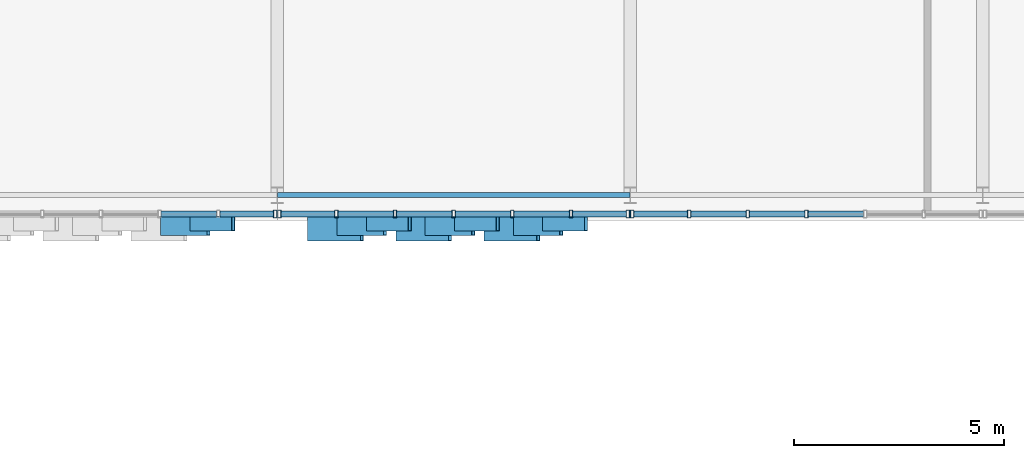
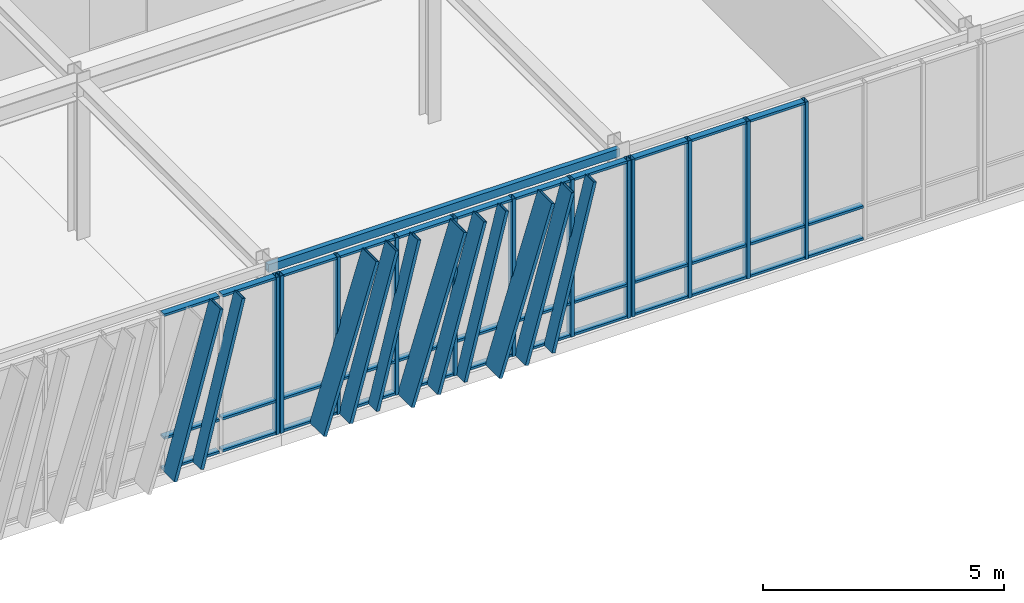
# One storey, part 22 of 123: 58 members, 1 beam, 3 elements without a shape of their own.
"""IFC4 building model written with IfcOpenShell, lengths in metres."""

import ifcopenshell
import ifcopenshell.guid

model = None  # the IFC model being written
_history = None  # IfcOwnerHistory: only IFC2X3 demands one
_inside = {}  # id of a spatial element -> (the spatial element, [elements in it])
_under = {}  # id of a project, library or spatial element -> (it, [spatial elements below it])
_declared = {}  # id of a project -> (the project, [libraries it declares])
_typed = {}  # id of a type object -> (the type object, [elements of that type])
_made_of = {}  # id of a material, layer set ... -> (it, [elements and type objects made of it])


def new_model(schema):
    """Start an empty IFC model of exactly this schema.

    Asked for "IFC4X3", IfcOpenShell would pick the latest addendum, in which some entities
    have other attributes; the version numbers below select the first issue.
    IFC2X3 requires an IfcOwnerHistory on every rooted entity: one is made here for all.
    """
    global model, _history
    if schema == "IFC4X3":
        model = ifcopenshell.file(schema_version=(4, 3, 0, 0))
    else:
        model = ifcopenshell.file(schema=schema)
    _inside.clear()
    _under.clear()
    _declared.clear()
    _typed.clear()
    _made_of.clear()
    _history = None
    if model.schema == "IFC2X3":
        org = make("IfcOrganization", Name="unknown")
        user = make(
            "IfcPersonAndOrganization",
            ThePerson=make("IfcPerson", FamilyName="unknown"),
            TheOrganization=org,
        )
        app = make(
            "IfcApplication",
            ApplicationDeveloper=org,
            Version="unknown",
            ApplicationFullName="unknown",
            ApplicationIdentifier="unknown",
        )
        _history = make(
            "IfcOwnerHistory",
            OwningUser=user,
            OwningApplication=app,
            ChangeAction="ADDED",
            CreationDate=0,
        )
    return model


def make(cls, **values):
    """One entity of the class cls with the attributes given. An attribute that is None is left unset."""
    return model.create_entity(
        cls, **{name: value for name, value in values.items() if value is not None}
    )


def rooted(cls, **values):
    """An entity with a GlobalId (a new one), such as an element, a storey or a relation."""
    return make(cls, GlobalId=ifcopenshell.guid.new(), OwnerHistory=_history, **values)


def si_unit(unit_type, name, prefix=None):
    """IfcSIUnit, for example si_unit("LENGTHUNIT", "METRE", prefix="MILLI")."""
    return make("IfcSIUnit", UnitType=unit_type, Prefix=prefix, Name=name)


def assignment(units):
    """IfcUnitAssignment: the units of a project."""
    return None if units is None else make("IfcUnitAssignment", Units=units)


def point(xyz):
    """IfcCartesianPoint."""
    return None if xyz is None else make("IfcCartesianPoint", Coordinates=xyz)


def direction(xyz):
    """IfcDirection."""
    return None if xyz is None else make("IfcDirection", DirectionRatios=xyz)


def frame(location, z_axis=None, x_axis=None):
    """IfcAxis2Placement3D, a coordinate frame: its origin and axes. An axis left out is left unset."""
    return make(
        "IfcAxis2Placement3D",
        Location=point(location),
        Axis=direction(z_axis),
        RefDirection=direction(x_axis),
    )


def frame_2d(location, x_axis=None):
    """IfcAxis2Placement2D, a coordinate frame in the plane: its origin and x axis."""
    return make(
        "IfcAxis2Placement2D", Location=point(location), RefDirection=direction(x_axis)
    )


def origin():
    """The frame at (0, 0, 0) with its axes left unset."""
    return frame((0.0, 0.0, 0.0))


def origin_2d():
    """The frame at (0, 0) in the plane with its x axis left unset."""
    return frame_2d((0.0, 0.0))


def place(relative_to, where):
    """IfcLocalPlacement: puts the frame where relative to a parent placement (None: the world)."""
    return make(
        "IfcLocalPlacement", PlacementRelTo=relative_to, RelativePlacement=where
    )


def context(
    kind, dimensions, precision=None, world=None, true_north=None, identifier=None
):
    """IfcGeometricRepresentationContext, for example the 3D "Model" context."""
    return make(
        "IfcGeometricRepresentationContext",
        ContextIdentifier=identifier,
        ContextType=kind,
        CoordinateSpaceDimension=dimensions,
        Precision=precision,
        WorldCoordinateSystem=world,
        TrueNorth=true_north,
    )


def subcontext(parent, identifier, kind, view, scale=None):
    """IfcGeometricRepresentationSubContext, for example "Body" below "Model"."""
    return make(
        "IfcGeometricRepresentationSubContext",
        ContextIdentifier=identifier,
        ContextType=kind,
        ParentContext=parent,
        TargetScale=scale,
        TargetView=view,
    )


def project(units=None, contexts=None):
    """IfcProject with its units and contexts."""
    return rooted(
        "IfcProject",
        Name="project",
        RepresentationContexts=contexts,
        UnitsInContext=assignment(units),
    )


def spatial(cls, under=None, at=None, **own):
    """A site, building, storey or space (cls), placed at a placement, below another one or the project."""
    s = rooted(cls, ObjectPlacement=at, **own)
    if under is not None:
        _under.setdefault(under.id(), (under, []))[1].append(s)
    return s


def profile(cls, at=None, kind="AREA", **sizes):
    """A parametric profile (cls). Its sizes go by their IFC names, for example OverallWidth=200.0."""
    return make(cls, ProfileType=kind, Position=at, **sizes)


def hollow_rectangle(**sizes):
    """IfcRectangleHollowProfileDef."""
    return profile("IfcRectangleHollowProfileDef", **sizes)


def extrude(swept, where, along, depth):
    """IfcExtrudedAreaSolid: the profile swept, set in the frame where, extruded along a direction by depth."""
    return make(
        "IfcExtrudedAreaSolid",
        SweptArea=swept,
        Position=where,
        ExtrudedDirection=direction(along),
        Depth=depth,
    )


def shape(context_of_items, identifier, shape_type, items):
    """IfcShapeRepresentation: the items that make up one representation, for example the "Body"."""
    return make(
        "IfcShapeRepresentation",
        ContextOfItems=context_of_items,
        RepresentationIdentifier=identifier,
        RepresentationType=shape_type,
        Items=items,
    )


def material(Name=None, Category=None):
    """IfcMaterial."""
    return make("IfcMaterial", Name=Name, Category=Category)


def layer(
    of_material, thickness, ventilated=None, Name=None, Category=None, Priority=None
):
    """IfcMaterialLayer: one layer of a wall or slab, of a material (None: an air gap)."""
    return make(
        "IfcMaterialLayer",
        Material=of_material,
        LayerThickness=thickness,
        IsVentilated=ventilated,
        Name=Name,
        Category=Category,
        Priority=Priority,
    )


def layer_set(layers, Name=None):
    """IfcMaterialLayerSet."""
    return make("IfcMaterialLayerSet", MaterialLayers=layers, LayerSetName=Name)


def material_profile(
    of_material, cross_section, Name=None, Category=None, Priority=None
):
    """IfcMaterialProfile: a cross section and its material."""
    return make(
        "IfcMaterialProfile",
        Name=Name,
        Material=of_material,
        Profile=cross_section,
        Priority=Priority,
        Category=Category,
    )


def profile_set(profiles, Name=None, composite=None):
    """IfcMaterialProfileSet."""
    return make(
        "IfcMaterialProfileSet",
        Name=Name,
        MaterialProfiles=profiles,
        CompositeProfile=composite,
    )


def made_of(thing, what):
    """Note that an element or type object is made of a material, layer set ...; save() writes the relation."""
    if what is not None:
        _made_of.setdefault(what.id(), (what, []))[1].append(thing)
    return thing


def type_object(cls, material=None, **own):
    """A type object (cls), such as IfcWallType, which elements share."""
    return made_of(rooted(cls, **own), material)


def element(
    cls,
    number,
    at=None,
    inside=None,
    cuts=None,
    type_object=None,
    material=None,
    context=None,
    identifier="Body",
    shape_type=None,
    held_by="IfcProductDefinitionShape",
    body=None,
    shapes=None,
    **own,
):
    """One element of the class cls, such as IfcWall. Its Tag is "e" and its number.

    at: its placement. inside: the storey or other place that contains it. cuts: it is an
    opening in that element (IfcRelVoidsElement). A single representation is given by context,
    identifier, shape_type and body (its items); several are given by shapes. held_by: the class
    of the entity that holds the representations. save() writes the other relations.
    """
    e = rooted(cls, Tag="e%d" % number, ObjectPlacement=at, **own)
    if body is not None:
        shapes = [shape(context, identifier, shape_type, body)]
    if shapes is not None:
        e.Representation = make(held_by, Representations=shapes)
    if inside is not None:
        _inside.setdefault(inside.id(), (inside, []))[1].append(e)
    if cuts is not None:
        rooted(
            "IfcRelVoidsElement", RelatingBuildingElement=cuts, RelatedOpeningElement=e
        )
    if type_object is not None:
        _typed.setdefault(type_object.id(), (type_object, []))[1].append(e)
    return made_of(e, material)


def aggregate(whole, parts):
    """IfcRelAggregates: a whole, such as a stair, and the parts it consists of."""
    return rooted("IfcRelAggregates", RelatingObject=whole, RelatedObjects=parts)


def save(model, path):
    """Write the relations noted so far, then the file.

    IfcRelAggregates (storeys below a building ...), IfcRelContainedInSpatialStructure (elements
    in a storey), IfcRelDefinesByType, IfcRelAssociatesMaterial and IfcRelDeclares: one each for
    every whole, place, type object, material and project.
    """
    for whole, parts in _under.values():
        aggregate(whole, parts)
    for where, things in _inside.values():
        rooted(
            "IfcRelContainedInSpatialStructure",
            RelatedElements=things,
            RelatingStructure=where,
        )
    for kind, things in _typed.values():
        rooted("IfcRelDefinesByType", RelatedObjects=things, RelatingType=kind)
    for what, things in _made_of.values():
        rooted("IfcRelAssociatesMaterial", RelatedObjects=things, RelatingMaterial=what)
    for by, libraries in _declared.values():
        rooted("IfcRelDeclares", RelatingContext=by, RelatedDefinitions=libraries)
    model.write(path)


model = new_model("IFC4")

# Units and contexts
model_context = context("Model", 3, precision=1e-05, world=origin(), true_north=direction((0.0, 1.0)))
body_context = subcontext(model_context, "Body", "Model", "MODEL_VIEW")
ifc_project = project(units=[si_unit("LENGTHUNIT", "METRE"), si_unit("AREAUNIT", "SQUARE_METRE"), si_unit("VOLUMEUNIT", "CUBIC_METRE"), si_unit("PLANEANGLEUNIT", "RADIAN"), si_unit("MASSUNIT", "GRAM", prefix="KILO")], contexts=[model_context])

# Site, building, storey
site_placement = place(None, origin())
site = spatial("IfcSite", under=ifc_project, at=site_placement, CompositionType="ELEMENT")
building_placement = place(site_placement, origin())
building = spatial("IfcBuilding", under=site, at=building_placement, Name="Zayran Congress Hotel", CompositionType="ELEMENT")
storey_placement = place(building_placement, frame((0.0, 0.0, 15.0)))
storey = spatial("IfcBuildingStorey", under=building, at=storey_placement, Name="L03", CompositionType="ELEMENT", Elevation=15.0)

# Beam
ifc_material_1 = material(Name="Steel S355", Category="steel")
ifc_material_profile_1 = material_profile(ifc_material_1, hollow_rectangle(XDim=0.1201171875, YDim=0.199951171875, WallThickness=0.008056640625, at=origin_2d()), Name="RHS 200x120x8")
ifc_profile_set_1 = profile_set([ifc_material_profile_1], Name="Steel S355")
beam_type = type_object("IfcBeamType", Name="TP-SP-02", PredefinedType="SPANDREL", material=ifc_profile_set_1)
beam_placement = place(storey_placement, frame((50.39990234375, 68.199951171875, 3.8798828125), z_axis=(1.0, 0.0, 0.0), x_axis=(0.0, 1.0, 0.0)))
element("IfcBeam", 1, at=beam_placement, inside=storey, type_object=beam_type, Name="BM-V1-L03-0796", PredefinedType="SPANDREL", context=body_context, shape_type="SweptSolid", body=[
    extrude(hollow_rectangle(XDim=0.1201171875, YDim=0.199951171875, WallThickness=0.008056640625, at=origin_2d()), origin(), (0.0, 0.0, 1.0), 8.400146484375),
])

# Curtain wall, member
ifc_material_2 = material(Name="Anodised aluminium and low-E insulated glass", Category="aluminium")
ifc_layer_1 = layer(ifc_material_2, 0.179931640625)
ifc_layer_set_1 = layer_set([ifc_layer_1], Name="Anodised aluminium and low-E insulated glass")
curtain_wall_type_1 = type_object("IfcCurtainWallType", Name="CW-V1S-L03-CW-12-8380-3980", PredefinedType="USERDEFINED", material=ifc_layer_set_1)
curtain_wall_1_placement = place(storey_placement, origin())
curtain_wall_1 = element("IfcCurtainWall", 2, at=curtain_wall_1_placement, inside=storey, type_object=curtain_wall_type_1, Name="CW-V1S-L03-4", ObjectType="CURTAIN WALL", PredefinedType="USERDEFINED")
ifc_material_3 = material(Name="Anodised aluminium framing", Category="aluminium")
ifc_material_profile_2 = material_profile(ifc_material_3, hollow_rectangle(XDim=0.080078125, YDim=0.179931640625, WallThickness=0.0048828125, at=origin_2d()), Name="RHS 180x80x5")
ifc_profile_set_2 = profile_set([ifc_material_profile_2], Name="Anodised aluminium framing")
member_type_1 = type_object("IfcMemberType", Name="TP-CWM-01", PredefinedType="MULLION", material=ifc_profile_set_2)
member_1_placement = place(storey_placement, frame((50.35009765625, 67.75, 0.0), z_axis=(0.0, 0.0, 1.0), x_axis=(1.0, 0.0, 0.0)))
member_1 = element("IfcMember", 3, at=member_1_placement, type_object=member_type_1, Name="CW-V1S-L03-4-M06", PredefinedType="MULLION", context=body_context, shape_type="SweptSolid", body=[
    extrude(hollow_rectangle(XDim=0.080078125, YDim=0.179931640625, WallThickness=0.0048828125, at=origin_2d()), origin(), (0.0, 0.0, 1.0), 3.97998046875),
])

# Curtain wall, members
ifc_layer_2 = layer(ifc_material_2, 0.179931640625)
ifc_layer_set_2 = layer_set([ifc_layer_2], Name="Anodised aluminium and low-E insulated glass")
curtain_wall_type_2 = type_object("IfcCurtainWallType", Name="CW-V1S-L03-CW-13-8380-3980", PredefinedType="USERDEFINED", material=ifc_layer_set_2)
curtain_wall_2_placement = place(storey_placement, origin())
curtain_wall_2 = element("IfcCurtainWall", 4, at=curtain_wall_2_placement, inside=storey, type_object=curtain_wall_type_2, Name="CW-V1S-L03-5", ObjectType="CURTAIN WALL", PredefinedType="USERDEFINED")
member_2_placement = place(storey_placement, frame((50.449951171875, 67.75, 0.0), z_axis=(0.0, 0.0, 1.0), x_axis=(1.0, 0.0, 0.0)))
member_2 = element("IfcMember", 5, at=member_2_placement, type_object=member_type_1, Name="CW-V1S-L03-5-M00", PredefinedType="MULLION", context=body_context, shape_type="SweptSolid", body=[
    extrude(hollow_rectangle(XDim=0.080078125, YDim=0.179931640625, WallThickness=0.0048828125, at=origin_2d()), origin(), (0.0, 0.0, 1.0), 3.97998046875),
])
member_3_placement = place(storey_placement, frame((51.806640625, 67.75, 0.0), z_axis=(0.0, 0.0, 1.0), x_axis=(1.0, 0.0, 0.0)))
member_3 = element("IfcMember", 6, at=member_3_placement, type_object=member_type_1, Name="CW-V1S-L03-5-M01", PredefinedType="MULLION", context=body_context, shape_type="SweptSolid", body=[
    extrude(hollow_rectangle(XDim=0.080078125, YDim=0.179931640625, WallThickness=0.0048828125, at=origin_2d()), origin(), (0.0, 0.0, 1.0), 3.97998046875),
])
member_4_placement = place(storey_placement, frame((53.203369140625, 67.75, 0.0), z_axis=(0.0, 0.0, 1.0), x_axis=(1.0, 0.0, 0.0)))
member_4 = element("IfcMember", 7, at=member_4_placement, type_object=member_type_1, Name="CW-V1S-L03-5-M02", PredefinedType="MULLION", context=body_context, shape_type="SweptSolid", body=[
    extrude(hollow_rectangle(XDim=0.080078125, YDim=0.179931640625, WallThickness=0.0048828125, at=origin_2d()), origin(), (0.0, 0.0, 1.0), 3.97998046875),
])
member_5_placement = place(storey_placement, frame((54.60009765625, 67.75, 0.0), z_axis=(0.0, 0.0, 1.0), x_axis=(1.0, 0.0, 0.0)))
member_5 = element("IfcMember", 8, at=member_5_placement, type_object=member_type_1, Name="CW-V1S-L03-5-M03", PredefinedType="MULLION", context=body_context, shape_type="SweptSolid", body=[
    extrude(hollow_rectangle(XDim=0.080078125, YDim=0.179931640625, WallThickness=0.0048828125, at=origin_2d()), origin(), (0.0, 0.0, 1.0), 3.97998046875),
])
member_6_placement = place(storey_placement, frame((55.99658203125, 67.75, 0.0), z_axis=(0.0, 0.0, 1.0), x_axis=(1.0, 0.0, 0.0)))
member_6 = element("IfcMember", 9, at=member_6_placement, type_object=member_type_1, Name="CW-V1S-L03-5-M04", PredefinedType="MULLION", context=body_context, shape_type="SweptSolid", body=[
    extrude(hollow_rectangle(XDim=0.080078125, YDim=0.179931640625, WallThickness=0.0048828125, at=origin_2d()), origin(), (0.0, 0.0, 1.0), 3.97998046875),
])
member_7_placement = place(storey_placement, frame((57.393310546875, 67.75, 0.0), z_axis=(0.0, 0.0, 1.0), x_axis=(1.0, 0.0, 0.0)))
member_7 = element("IfcMember", 10, at=member_7_placement, type_object=member_type_1, Name="CW-V1S-L03-5-M05", PredefinedType="MULLION", context=body_context, shape_type="SweptSolid", body=[
    extrude(hollow_rectangle(XDim=0.080078125, YDim=0.179931640625, WallThickness=0.0048828125, at=origin_2d()), origin(), (0.0, 0.0, 1.0), 3.97998046875),
])
member_8_placement = place(storey_placement, frame((58.75, 67.75, 0.0), z_axis=(0.0, 0.0, 1.0), x_axis=(1.0, 0.0, 0.0)))
member_8 = element("IfcMember", 11, at=member_8_placement, type_object=member_type_1, Name="CW-V1S-L03-5-M06", PredefinedType="MULLION", context=body_context, shape_type="SweptSolid", body=[
    extrude(hollow_rectangle(XDim=0.080078125, YDim=0.179931640625, WallThickness=0.0048828125, at=origin_2d()), origin(), (0.0, 0.0, 1.0), 3.97998046875),
])

ifc_layer_3 = layer(ifc_material_2, 0.179931640625)
ifc_layer_set_3 = layer_set([ifc_layer_3], Name="Anodised aluminium and low-E insulated glass")
curtain_wall_type_3 = type_object("IfcCurtainWallType", Name="CW-V1S-L03-CW-11-8380-3980", PredefinedType="USERDEFINED", material=ifc_layer_set_3)
curtain_wall_3_placement = place(storey_placement, origin())
curtain_wall_3 = element("IfcCurtainWall", 12, at=curtain_wall_3_placement, inside=storey, type_object=curtain_wall_type_3, Name="CW-V1S-L03-6", ObjectType="CURTAIN WALL", PredefinedType="USERDEFINED")
member_9_placement = place(storey_placement, frame((58.85009765625, 67.75, 0.0), z_axis=(0.0, 0.0, 1.0), x_axis=(1.0, 0.0, 0.0)))
member_9 = element("IfcMember", 13, at=member_9_placement, type_object=member_type_1, Name="CW-V1S-L03-6-M00", PredefinedType="MULLION", context=body_context, shape_type="SweptSolid", body=[
    extrude(hollow_rectangle(XDim=0.080078125, YDim=0.179931640625, WallThickness=0.0048828125, at=origin_2d()), origin(), (0.0, 0.0, 1.0), 3.97998046875),
])
member_10_placement = place(storey_placement, frame((60.206787109375, 67.75, 0.0), z_axis=(0.0, 0.0, 1.0), x_axis=(1.0, 0.0, 0.0)))
member_10 = element("IfcMember", 14, at=member_10_placement, type_object=member_type_1, Name="CW-V1S-L03-6-M01", PredefinedType="MULLION", context=body_context, shape_type="SweptSolid", body=[
    extrude(hollow_rectangle(XDim=0.080078125, YDim=0.179931640625, WallThickness=0.0048828125, at=origin_2d()), origin(), (0.0, 0.0, 1.0), 3.97998046875),
])
member_11_placement = place(storey_placement, frame((61.603271484375, 67.75, 0.0), z_axis=(0.0, 0.0, 1.0), x_axis=(1.0, 0.0, 0.0)))
member_11 = element("IfcMember", 15, at=member_11_placement, type_object=member_type_1, Name="CW-V1S-L03-6-M02", PredefinedType="MULLION", context=body_context, shape_type="SweptSolid", body=[
    extrude(hollow_rectangle(XDim=0.080078125, YDim=0.179931640625, WallThickness=0.0048828125, at=origin_2d()), origin(), (0.0, 0.0, 1.0), 3.97998046875),
])
member_12_placement = place(storey_placement, frame((63.0, 67.75, 0.0), z_axis=(0.0, 0.0, 1.0), x_axis=(1.0, 0.0, 0.0)))
member_12 = element("IfcMember", 16, at=member_12_placement, type_object=member_type_1, Name="CW-V1S-L03-6-M03", PredefinedType="MULLION", context=body_context, shape_type="SweptSolid", body=[
    extrude(hollow_rectangle(XDim=0.080078125, YDim=0.179931640625, WallThickness=0.0048828125, at=origin_2d()), origin(), (0.0, 0.0, 1.0), 3.97998046875),
])

# Member
ifc_material_profile_3 = material_profile(ifc_material_3, hollow_rectangle(XDim=0.06005859375, YDim=0.14990234375, WallThickness=0.00390625, at=origin_2d()), Name="RHS 150x60x4")
ifc_profile_set_3 = profile_set([ifc_material_profile_3], Name="Anodised aluminium framing")
member_type_2 = type_object("IfcMemberType", Name="TP-CWT-01", PredefinedType="USERDEFINED", material=ifc_profile_set_3)
member_13_placement = place(storey_placement, frame((47.63671875, 67.75, 0.030029296875), z_axis=(1.0, 0.0, 0.0), x_axis=(0.0, 0.0, 1.0)))
member_13 = element("IfcMember", 17, at=member_13_placement, type_object=member_type_2, Name="CW-V1S-L03-4-T04-0", ObjectType="TRANSOM", PredefinedType="USERDEFINED", context=body_context, shape_type="SweptSolid", body=[
    extrude(hollow_rectangle(XDim=0.06005859375, YDim=0.14990234375, WallThickness=0.00390625, at=origin_2d()), origin(), (0.0, 0.0, 1.0), 1.316650390625),
])

member_14_placement = place(storey_placement, frame((47.63671875, 67.75, 0.840087890625), z_axis=(1.0, 0.0, 0.0), x_axis=(0.0, 0.0, 1.0)))
member_14 = element("IfcMember", 18, at=member_14_placement, type_object=member_type_2, Name="CW-V1S-L03-4-T04-1", ObjectType="TRANSOM", PredefinedType="USERDEFINED", context=body_context, shape_type="SweptSolid", body=[
    extrude(hollow_rectangle(XDim=0.06005859375, YDim=0.14990234375, WallThickness=0.00390625, at=origin_2d()), origin(), (0.0, 0.0, 1.0), 1.316650390625),
])

member_15_placement = place(storey_placement, frame((47.63671875, 67.75, 3.949951171875), z_axis=(1.0, 0.0, 0.0), x_axis=(0.0, 0.0, 1.0)))
member_15 = element("IfcMember", 19, at=member_15_placement, type_object=member_type_2, Name="CW-V1S-L03-4-T04-2", ObjectType="TRANSOM", PredefinedType="USERDEFINED", context=body_context, shape_type="SweptSolid", body=[
    extrude(hollow_rectangle(XDim=0.06005859375, YDim=0.14990234375, WallThickness=0.00390625, at=origin_2d()), origin(), (0.0, 0.0, 1.0), 1.316650390625),
])

member_16_placement = place(storey_placement, frame((49.033203125, 67.75, 0.030029296875), z_axis=(1.0, 0.0, 0.0), x_axis=(0.0, 0.0, 1.0)))
member_16 = element("IfcMember", 20, at=member_16_placement, type_object=member_type_2, Name="CW-V1S-L03-4-T05-0", ObjectType="TRANSOM", PredefinedType="USERDEFINED", context=body_context, shape_type="SweptSolid", body=[
    extrude(hollow_rectangle(XDim=0.06005859375, YDim=0.14990234375, WallThickness=0.00390625, at=origin_2d()), origin(), (0.0, 0.0, 1.0), 1.27685546875),
])

member_17_placement = place(storey_placement, frame((49.033203125, 67.75, 0.840087890625), z_axis=(1.0, 0.0, 0.0), x_axis=(0.0, 0.0, 1.0)))
member_17 = element("IfcMember", 21, at=member_17_placement, type_object=member_type_2, Name="CW-V1S-L03-4-T05-1", ObjectType="TRANSOM", PredefinedType="USERDEFINED", context=body_context, shape_type="SweptSolid", body=[
    extrude(hollow_rectangle(XDim=0.06005859375, YDim=0.14990234375, WallThickness=0.00390625, at=origin_2d()), origin(), (0.0, 0.0, 1.0), 1.27685546875),
])

member_18_placement = place(storey_placement, frame((49.033203125, 67.75, 3.949951171875), z_axis=(1.0, 0.0, 0.0), x_axis=(0.0, 0.0, 1.0)))
member_18 = element("IfcMember", 22, at=member_18_placement, type_object=member_type_2, Name="CW-V1S-L03-4-T05-2", ObjectType="TRANSOM", PredefinedType="USERDEFINED", context=body_context, shape_type="SweptSolid", body=[
    extrude(hollow_rectangle(XDim=0.06005859375, YDim=0.14990234375, WallThickness=0.00390625, at=origin_2d()), origin(), (0.0, 0.0, 1.0), 1.27685546875),
])

member_19_placement = place(storey_placement, frame((50.489990234375, 67.75, 0.030029296875), z_axis=(1.0, 0.0, 0.0), x_axis=(0.0, 0.0, 1.0)))
member_19 = element("IfcMember", 23, at=member_19_placement, type_object=member_type_2, Name="CW-V1S-L03-5-T00-0", ObjectType="TRANSOM", PredefinedType="USERDEFINED", context=body_context, shape_type="SweptSolid", body=[
    extrude(hollow_rectangle(XDim=0.06005859375, YDim=0.14990234375, WallThickness=0.00390625, at=origin_2d()), origin(), (0.0, 0.0, 1.0), 1.276611328125),
])

member_20_placement = place(storey_placement, frame((50.489990234375, 67.75, 0.840087890625), z_axis=(1.0, 0.0, 0.0), x_axis=(0.0, 0.0, 1.0)))
member_20 = element("IfcMember", 24, at=member_20_placement, type_object=member_type_2, Name="CW-V1S-L03-5-T00-1", ObjectType="TRANSOM", PredefinedType="USERDEFINED", context=body_context, shape_type="SweptSolid", body=[
    extrude(hollow_rectangle(XDim=0.06005859375, YDim=0.14990234375, WallThickness=0.00390625, at=origin_2d()), origin(), (0.0, 0.0, 1.0), 1.276611328125),
])

member_21_placement = place(storey_placement, frame((50.489990234375, 67.75, 3.949951171875), z_axis=(1.0, 0.0, 0.0), x_axis=(0.0, 0.0, 1.0)))
member_21 = element("IfcMember", 25, at=member_21_placement, type_object=member_type_2, Name="CW-V1S-L03-5-T00-2", ObjectType="TRANSOM", PredefinedType="USERDEFINED", context=body_context, shape_type="SweptSolid", body=[
    extrude(hollow_rectangle(XDim=0.06005859375, YDim=0.14990234375, WallThickness=0.00390625, at=origin_2d()), origin(), (0.0, 0.0, 1.0), 1.276611328125),
])

member_22_placement = place(storey_placement, frame((51.8466796875, 67.75, 0.030029296875), z_axis=(1.0, 0.0, 0.0), x_axis=(0.0, 0.0, 1.0)))
member_22 = element("IfcMember", 26, at=member_22_placement, type_object=member_type_2, Name="CW-V1S-L03-5-T01-0", ObjectType="TRANSOM", PredefinedType="USERDEFINED", context=body_context, shape_type="SweptSolid", body=[
    extrude(hollow_rectangle(XDim=0.06005859375, YDim=0.14990234375, WallThickness=0.00390625, at=origin_2d()), origin(), (0.0, 0.0, 1.0), 1.316650390625),
])

member_23_placement = place(storey_placement, frame((51.8466796875, 67.75, 0.840087890625), z_axis=(1.0, 0.0, 0.0), x_axis=(0.0, 0.0, 1.0)))
member_23 = element("IfcMember", 27, at=member_23_placement, type_object=member_type_2, Name="CW-V1S-L03-5-T01-1", ObjectType="TRANSOM", PredefinedType="USERDEFINED", context=body_context, shape_type="SweptSolid", body=[
    extrude(hollow_rectangle(XDim=0.06005859375, YDim=0.14990234375, WallThickness=0.00390625, at=origin_2d()), origin(), (0.0, 0.0, 1.0), 1.316650390625),
])

member_24_placement = place(storey_placement, frame((51.8466796875, 67.75, 3.949951171875), z_axis=(1.0, 0.0, 0.0), x_axis=(0.0, 0.0, 1.0)))
member_24 = element("IfcMember", 28, at=member_24_placement, type_object=member_type_2, Name="CW-V1S-L03-5-T01-2", ObjectType="TRANSOM", PredefinedType="USERDEFINED", context=body_context, shape_type="SweptSolid", body=[
    extrude(hollow_rectangle(XDim=0.06005859375, YDim=0.14990234375, WallThickness=0.00390625, at=origin_2d()), origin(), (0.0, 0.0, 1.0), 1.316650390625),
])

member_25_placement = place(storey_placement, frame((53.243408203125, 67.75, 0.030029296875), z_axis=(1.0, 0.0, 0.0), x_axis=(0.0, 0.0, 1.0)))
member_25 = element("IfcMember", 29, at=member_25_placement, type_object=member_type_2, Name="CW-V1S-L03-5-T02-0", ObjectType="TRANSOM", PredefinedType="USERDEFINED", context=body_context, shape_type="SweptSolid", body=[
    extrude(hollow_rectangle(XDim=0.06005859375, YDim=0.14990234375, WallThickness=0.00390625, at=origin_2d()), origin(), (0.0, 0.0, 1.0), 1.316650390625),
])

member_26_placement = place(storey_placement, frame((53.243408203125, 67.75, 0.840087890625), z_axis=(1.0, 0.0, 0.0), x_axis=(0.0, 0.0, 1.0)))
member_26 = element("IfcMember", 30, at=member_26_placement, type_object=member_type_2, Name="CW-V1S-L03-5-T02-1", ObjectType="TRANSOM", PredefinedType="USERDEFINED", context=body_context, shape_type="SweptSolid", body=[
    extrude(hollow_rectangle(XDim=0.06005859375, YDim=0.14990234375, WallThickness=0.00390625, at=origin_2d()), origin(), (0.0, 0.0, 1.0), 1.316650390625),
])

member_27_placement = place(storey_placement, frame((53.243408203125, 67.75, 3.949951171875), z_axis=(1.0, 0.0, 0.0), x_axis=(0.0, 0.0, 1.0)))
member_27 = element("IfcMember", 31, at=member_27_placement, type_object=member_type_2, Name="CW-V1S-L03-5-T02-2", ObjectType="TRANSOM", PredefinedType="USERDEFINED", context=body_context, shape_type="SweptSolid", body=[
    extrude(hollow_rectangle(XDim=0.06005859375, YDim=0.14990234375, WallThickness=0.00390625, at=origin_2d()), origin(), (0.0, 0.0, 1.0), 1.316650390625),
])

member_28_placement = place(storey_placement, frame((54.639892578125, 67.75, 0.030029296875), z_axis=(1.0, 0.0, 0.0), x_axis=(0.0, 0.0, 1.0)))
member_28 = element("IfcMember", 32, at=member_28_placement, type_object=member_type_2, Name="CW-V1S-L03-5-T03-0", ObjectType="TRANSOM", PredefinedType="USERDEFINED", context=body_context, shape_type="SweptSolid", body=[
    extrude(hollow_rectangle(XDim=0.06005859375, YDim=0.14990234375, WallThickness=0.00390625, at=origin_2d()), origin(), (0.0, 0.0, 1.0), 1.31689453125),
])

member_29_placement = place(storey_placement, frame((54.639892578125, 67.75, 0.840087890625), z_axis=(1.0, 0.0, 0.0), x_axis=(0.0, 0.0, 1.0)))
member_29 = element("IfcMember", 33, at=member_29_placement, type_object=member_type_2, Name="CW-V1S-L03-5-T03-1", ObjectType="TRANSOM", PredefinedType="USERDEFINED", context=body_context, shape_type="SweptSolid", body=[
    extrude(hollow_rectangle(XDim=0.06005859375, YDim=0.14990234375, WallThickness=0.00390625, at=origin_2d()), origin(), (0.0, 0.0, 1.0), 1.31689453125),
])

member_30_placement = place(storey_placement, frame((54.639892578125, 67.75, 3.949951171875), z_axis=(1.0, 0.0, 0.0), x_axis=(0.0, 0.0, 1.0)))
member_30 = element("IfcMember", 34, at=member_30_placement, type_object=member_type_2, Name="CW-V1S-L03-5-T03-2", ObjectType="TRANSOM", PredefinedType="USERDEFINED", context=body_context, shape_type="SweptSolid", body=[
    extrude(hollow_rectangle(XDim=0.06005859375, YDim=0.14990234375, WallThickness=0.00390625, at=origin_2d()), origin(), (0.0, 0.0, 1.0), 1.31689453125),
])

member_31_placement = place(storey_placement, frame((56.03662109375, 67.75, 0.030029296875), z_axis=(1.0, 0.0, 0.0), x_axis=(0.0, 0.0, 1.0)))
member_31 = element("IfcMember", 35, at=member_31_placement, type_object=member_type_2, Name="CW-V1S-L03-5-T04-0", ObjectType="TRANSOM", PredefinedType="USERDEFINED", context=body_context, shape_type="SweptSolid", body=[
    extrude(hollow_rectangle(XDim=0.06005859375, YDim=0.14990234375, WallThickness=0.00390625, at=origin_2d()), origin(), (0.0, 0.0, 1.0), 1.316650390625),
])

member_32_placement = place(storey_placement, frame((56.03662109375, 67.75, 0.840087890625), z_axis=(1.0, 0.0, 0.0), x_axis=(0.0, 0.0, 1.0)))
member_32 = element("IfcMember", 36, at=member_32_placement, type_object=member_type_2, Name="CW-V1S-L03-5-T04-1", ObjectType="TRANSOM", PredefinedType="USERDEFINED", context=body_context, shape_type="SweptSolid", body=[
    extrude(hollow_rectangle(XDim=0.06005859375, YDim=0.14990234375, WallThickness=0.00390625, at=origin_2d()), origin(), (0.0, 0.0, 1.0), 1.316650390625),
])

member_33_placement = place(storey_placement, frame((56.03662109375, 67.75, 3.949951171875), z_axis=(1.0, 0.0, 0.0), x_axis=(0.0, 0.0, 1.0)))
member_33 = element("IfcMember", 37, at=member_33_placement, type_object=member_type_2, Name="CW-V1S-L03-5-T04-2", ObjectType="TRANSOM", PredefinedType="USERDEFINED", context=body_context, shape_type="SweptSolid", body=[
    extrude(hollow_rectangle(XDim=0.06005859375, YDim=0.14990234375, WallThickness=0.00390625, at=origin_2d()), origin(), (0.0, 0.0, 1.0), 1.316650390625),
])

member_34_placement = place(storey_placement, frame((57.433349609375, 67.75, 0.030029296875), z_axis=(1.0, 0.0, 0.0), x_axis=(0.0, 0.0, 1.0)))
member_34 = element("IfcMember", 38, at=member_34_placement, type_object=member_type_2, Name="CW-V1S-L03-5-T05-0", ObjectType="TRANSOM", PredefinedType="USERDEFINED", context=body_context, shape_type="SweptSolid", body=[
    extrude(hollow_rectangle(XDim=0.06005859375, YDim=0.14990234375, WallThickness=0.00390625, at=origin_2d()), origin(), (0.0, 0.0, 1.0), 1.276611328125),
])

member_35_placement = place(storey_placement, frame((57.433349609375, 67.75, 0.840087890625), z_axis=(1.0, 0.0, 0.0), x_axis=(0.0, 0.0, 1.0)))
member_35 = element("IfcMember", 39, at=member_35_placement, type_object=member_type_2, Name="CW-V1S-L03-5-T05-1", ObjectType="TRANSOM", PredefinedType="USERDEFINED", context=body_context, shape_type="SweptSolid", body=[
    extrude(hollow_rectangle(XDim=0.06005859375, YDim=0.14990234375, WallThickness=0.00390625, at=origin_2d()), origin(), (0.0, 0.0, 1.0), 1.276611328125),
])

member_36_placement = place(storey_placement, frame((57.433349609375, 67.75, 3.949951171875), z_axis=(1.0, 0.0, 0.0), x_axis=(0.0, 0.0, 1.0)))
member_36 = element("IfcMember", 40, at=member_36_placement, type_object=member_type_2, Name="CW-V1S-L03-5-T05-2", ObjectType="TRANSOM", PredefinedType="USERDEFINED", context=body_context, shape_type="SweptSolid", body=[
    extrude(hollow_rectangle(XDim=0.06005859375, YDim=0.14990234375, WallThickness=0.00390625, at=origin_2d()), origin(), (0.0, 0.0, 1.0), 1.276611328125),
])

member_37_placement = place(storey_placement, frame((58.889892578125, 67.75, 0.030029296875), z_axis=(1.0, 0.0, 0.0), x_axis=(0.0, 0.0, 1.0)))
member_37 = element("IfcMember", 41, at=member_37_placement, type_object=member_type_2, Name="CW-V1S-L03-6-T00-0", ObjectType="TRANSOM", PredefinedType="USERDEFINED", context=body_context, shape_type="SweptSolid", body=[
    extrude(hollow_rectangle(XDim=0.06005859375, YDim=0.14990234375, WallThickness=0.00390625, at=origin_2d()), origin(), (0.0, 0.0, 1.0), 1.27685546875),
])

member_38_placement = place(storey_placement, frame((58.889892578125, 67.75, 0.840087890625), z_axis=(1.0, 0.0, 0.0), x_axis=(0.0, 0.0, 1.0)))
member_38 = element("IfcMember", 42, at=member_38_placement, type_object=member_type_2, Name="CW-V1S-L03-6-T00-1", ObjectType="TRANSOM", PredefinedType="USERDEFINED", context=body_context, shape_type="SweptSolid", body=[
    extrude(hollow_rectangle(XDim=0.06005859375, YDim=0.14990234375, WallThickness=0.00390625, at=origin_2d()), origin(), (0.0, 0.0, 1.0), 1.27685546875),
])

member_39_placement = place(storey_placement, frame((58.889892578125, 67.75, 3.949951171875), z_axis=(1.0, 0.0, 0.0), x_axis=(0.0, 0.0, 1.0)))
member_39 = element("IfcMember", 43, at=member_39_placement, type_object=member_type_2, Name="CW-V1S-L03-6-T00-2", ObjectType="TRANSOM", PredefinedType="USERDEFINED", context=body_context, shape_type="SweptSolid", body=[
    extrude(hollow_rectangle(XDim=0.06005859375, YDim=0.14990234375, WallThickness=0.00390625, at=origin_2d()), origin(), (0.0, 0.0, 1.0), 1.27685546875),
])

member_40_placement = place(storey_placement, frame((60.24658203125, 67.75, 0.030029296875), z_axis=(1.0, 0.0, 0.0), x_axis=(0.0, 0.0, 1.0)))
member_40 = element("IfcMember", 44, at=member_40_placement, type_object=member_type_2, Name="CW-V1S-L03-6-T01-0", ObjectType="TRANSOM", PredefinedType="USERDEFINED", context=body_context, shape_type="SweptSolid", body=[
    extrude(hollow_rectangle(XDim=0.06005859375, YDim=0.14990234375, WallThickness=0.00390625, at=origin_2d()), origin(), (0.0, 0.0, 1.0), 1.316650390625),
])

member_41_placement = place(storey_placement, frame((60.24658203125, 67.75, 0.840087890625), z_axis=(1.0, 0.0, 0.0), x_axis=(0.0, 0.0, 1.0)))
member_41 = element("IfcMember", 45, at=member_41_placement, type_object=member_type_2, Name="CW-V1S-L03-6-T01-1", ObjectType="TRANSOM", PredefinedType="USERDEFINED", context=body_context, shape_type="SweptSolid", body=[
    extrude(hollow_rectangle(XDim=0.06005859375, YDim=0.14990234375, WallThickness=0.00390625, at=origin_2d()), origin(), (0.0, 0.0, 1.0), 1.316650390625),
])

member_42_placement = place(storey_placement, frame((60.24658203125, 67.75, 3.949951171875), z_axis=(1.0, 0.0, 0.0), x_axis=(0.0, 0.0, 1.0)))
member_42 = element("IfcMember", 46, at=member_42_placement, type_object=member_type_2, Name="CW-V1S-L03-6-T01-2", ObjectType="TRANSOM", PredefinedType="USERDEFINED", context=body_context, shape_type="SweptSolid", body=[
    extrude(hollow_rectangle(XDim=0.06005859375, YDim=0.14990234375, WallThickness=0.00390625, at=origin_2d()), origin(), (0.0, 0.0, 1.0), 1.316650390625),
])

member_43_placement = place(storey_placement, frame((61.643310546875, 67.75, 0.030029296875), z_axis=(1.0, 0.0, 0.0), x_axis=(0.0, 0.0, 1.0)))
member_43 = element("IfcMember", 47, at=member_43_placement, type_object=member_type_2, Name="CW-V1S-L03-6-T02-0", ObjectType="TRANSOM", PredefinedType="USERDEFINED", context=body_context, shape_type="SweptSolid", body=[
    extrude(hollow_rectangle(XDim=0.06005859375, YDim=0.14990234375, WallThickness=0.00390625, at=origin_2d()), origin(), (0.0, 0.0, 1.0), 1.316650390625),
])

member_44_placement = place(storey_placement, frame((61.643310546875, 67.75, 0.840087890625), z_axis=(1.0, 0.0, 0.0), x_axis=(0.0, 0.0, 1.0)))
member_44 = element("IfcMember", 48, at=member_44_placement, type_object=member_type_2, Name="CW-V1S-L03-6-T02-1", ObjectType="TRANSOM", PredefinedType="USERDEFINED", context=body_context, shape_type="SweptSolid", body=[
    extrude(hollow_rectangle(XDim=0.06005859375, YDim=0.14990234375, WallThickness=0.00390625, at=origin_2d()), origin(), (0.0, 0.0, 1.0), 1.316650390625),
])

member_45_placement = place(storey_placement, frame((61.643310546875, 67.75, 3.949951171875), z_axis=(1.0, 0.0, 0.0), x_axis=(0.0, 0.0, 1.0)))
member_45 = element("IfcMember", 49, at=member_45_placement, type_object=member_type_2, Name="CW-V1S-L03-6-T02-2", ObjectType="TRANSOM", PredefinedType="USERDEFINED", context=body_context, shape_type="SweptSolid", body=[
    extrude(hollow_rectangle(XDim=0.06005859375, YDim=0.14990234375, WallThickness=0.00390625, at=origin_2d()), origin(), (0.0, 0.0, 1.0), 1.316650390625),
])

member_46_placement = place(storey_placement, frame((63.0400390625, 67.75, 0.030029296875), z_axis=(1.0, 0.0, 0.0), x_axis=(0.0, 0.0, 1.0)))
member_46 = element("IfcMember", 50, at=member_46_placement, type_object=member_type_2, Name="CW-V1S-L03-6-T03-0", ObjectType="TRANSOM", PredefinedType="USERDEFINED", context=body_context, shape_type="SweptSolid", body=[
    extrude(hollow_rectangle(XDim=0.06005859375, YDim=0.14990234375, WallThickness=0.00390625, at=origin_2d()), origin(), (0.0, 0.0, 1.0), 1.316650390625),
])

member_47_placement = place(storey_placement, frame((63.0400390625, 67.75, 0.840087890625), z_axis=(1.0, 0.0, 0.0), x_axis=(0.0, 0.0, 1.0)))
member_47 = element("IfcMember", 51, at=member_47_placement, type_object=member_type_2, Name="CW-V1S-L03-6-T03-1", ObjectType="TRANSOM", PredefinedType="USERDEFINED", context=body_context, shape_type="SweptSolid", body=[
    extrude(hollow_rectangle(XDim=0.06005859375, YDim=0.14990234375, WallThickness=0.00390625, at=origin_2d()), origin(), (0.0, 0.0, 1.0), 1.316650390625),
])

aggregate(curtain_wall_3, [member_9, member_10, member_11, member_12, member_37, member_38, member_39, member_40, member_41, member_42, member_43, member_44, member_45, member_46, member_47])

ifc_material_4 = material(Name="Warm bronze anodised aluminium", Category="aluminium")
ifc_material_profile_4 = material_profile(ifc_material_4, hollow_rectangle(XDim=0.080078125, YDim=0.580078125, WallThickness=0.006103515625, at=origin_2d()), Name="RHS 580x80x6")
ifc_profile_set_4 = profile_set([ifc_material_profile_4], Name="Warm bronze anodised aluminium")
member_type_3 = type_object("IfcMemberType", Name="TP-RFN-01", PredefinedType="MULLION", material=ifc_profile_set_4)
member_48_placement = place(storey_placement, frame((51.159912109375, 67.39990234375, 0.0), z_axis=(0.300705753938, 0.0, 0.953716965115), x_axis=(-0.953716965115, 0.0, 0.300705753938)))
member_48 = element("IfcMember", 52, at=member_48_placement, type_object=member_type_3, Name="Slanting Reed Mullion CW-13-01", PredefinedType="MULLION", context=body_context, shape_type="SweptSolid", body=[
    extrude(hollow_rectangle(XDim=0.080078125, YDim=0.580078125, WallThickness=0.006103515625, at=origin_2d()), origin(), (0.0, 0.0, 1.0), 4.173095703125),
])

member_49_placement = place(storey_placement, frame((53.260009765625, 67.39990234375, 0.0), z_axis=(0.300705753938, 0.0, 0.953716965115), x_axis=(-0.953716965115, 0.0, 0.300705753938)))
member_49 = element("IfcMember", 53, at=member_49_placement, type_object=member_type_3, Name="Slanting Reed Mullion CW-13-04", PredefinedType="MULLION", context=body_context, shape_type="SweptSolid", body=[
    extrude(hollow_rectangle(XDim=0.080078125, YDim=0.580078125, WallThickness=0.006103515625, at=origin_2d()), origin(), (0.0, 0.0, 1.0), 4.173095703125),
])

member_50_placement = place(storey_placement, frame((55.360107421875, 67.39990234375, 0.0), z_axis=(0.300705753938, 0.0, 0.953716965115), x_axis=(-0.953716965115, 0.0, 0.300705753938)))
member_50 = element("IfcMember", 54, at=member_50_placement, type_object=member_type_3, Name="Slanting Reed Mullion CW-13-07", PredefinedType="MULLION", context=body_context, shape_type="SweptSolid", body=[
    extrude(hollow_rectangle(XDim=0.080078125, YDim=0.580078125, WallThickness=0.006103515625, at=origin_2d()), origin(), (0.0, 0.0, 1.0), 4.173095703125),
])

ifc_material_profile_5 = material_profile(ifc_material_4, hollow_rectangle(XDim=0.080078125, YDim=0.449951171875, WallThickness=0.006103515625, at=origin_2d()), Name="RHS 450x80x6")
ifc_profile_set_5 = profile_set([ifc_material_profile_5], Name="Warm bronze anodised aluminium")
member_type_4 = type_object("IfcMemberType", Name="TP-RFN-02", PredefinedType="MULLION", material=ifc_profile_set_5)
member_51_placement = place(storey_placement, frame((47.659912109375, 67.465087890625, 0.0), z_axis=(0.267296298756, 0.0, 0.963614387954), x_axis=(-0.963614387954, 0.0, 0.267296298756)))
member_51 = element("IfcMember", 55, at=member_51_placement, type_object=member_type_4, Name="Slanting Reed Mullion CW-12-08", PredefinedType="MULLION", context=body_context, shape_type="SweptSolid", body=[
    extrude(hollow_rectangle(XDim=0.080078125, YDim=0.449951171875, WallThickness=0.006103515625, at=origin_2d()), origin(), (0.0, 0.0, 1.0), 4.13037109375),
])

member_52_placement = place(storey_placement, frame((51.860107421875, 67.465087890625, 0.0), z_axis=(0.267241410526, 0.0, 0.963629611677), x_axis=(-0.963629611677, 0.0, 0.267241410526)))
member_52 = element("IfcMember", 56, at=member_52_placement, type_object=member_type_4, Name="Slanting Reed Mullion CW-13-02", PredefinedType="MULLION", context=body_context, shape_type="SweptSolid", body=[
    extrude(hollow_rectangle(XDim=0.080078125, YDim=0.449951171875, WallThickness=0.006103515625, at=origin_2d()), origin(), (0.0, 0.0, 1.0), 4.130126953125),
])

member_53_placement = place(storey_placement, frame((53.9599609375, 67.465087890625, 0.0), z_axis=(0.267241410526, 0.0, 0.963629611677), x_axis=(-0.963629611677, 0.0, 0.267241410526)))
member_53 = element("IfcMember", 57, at=member_53_placement, type_object=member_type_4, Name="Slanting Reed Mullion CW-13-05", PredefinedType="MULLION", context=body_context, shape_type="SweptSolid", body=[
    extrude(hollow_rectangle(XDim=0.080078125, YDim=0.449951171875, WallThickness=0.006103515625, at=origin_2d()), origin(), (0.0, 0.0, 1.0), 4.130126953125),
])

member_54_placement = place(storey_placement, frame((56.06005859375, 67.465087890625, 0.0), z_axis=(0.267241410526, 0.0, 0.963629611677), x_axis=(-0.963629611677, 0.0, 0.267241410526)))
member_54 = element("IfcMember", 58, at=member_54_placement, type_object=member_type_4, Name="Slanting Reed Mullion CW-13-08", PredefinedType="MULLION", context=body_context, shape_type="SweptSolid", body=[
    extrude(hollow_rectangle(XDim=0.080078125, YDim=0.449951171875, WallThickness=0.006103515625, at=origin_2d()), origin(), (0.0, 0.0, 1.0), 4.130126953125),
])

ifc_material_profile_6 = material_profile(ifc_material_4, hollow_rectangle(XDim=0.080078125, YDim=0.340087890625, WallThickness=0.006103515625, at=origin_2d()), Name="RHS 340x80x6")
ifc_profile_set_6 = profile_set([ifc_material_profile_6], Name="Warm bronze anodised aluminium")
member_type_5 = type_object("IfcMemberType", Name="TP-RFN-03", PredefinedType="MULLION", material=ifc_profile_set_6)
member_55_placement = place(storey_placement, frame((48.360107421875, 67.52001953125, 0.0), z_axis=(0.24189134958, 0.0, 0.970303341743), x_axis=(-0.970303341743, 0.0, 0.24189134958)))
member_55 = element("IfcMember", 59, at=member_55_placement, type_object=member_type_5, Name="Slanting Reed Mullion CW-12-09", PredefinedType="MULLION", context=body_context, shape_type="SweptSolid", body=[
    extrude(hollow_rectangle(XDim=0.080078125, YDim=0.340087890625, WallThickness=0.006103515625, at=origin_2d()), origin(), (0.0, 0.0, 1.0), 4.101806640625),
])

aggregate(curtain_wall_1, [member_1, member_13, member_14, member_15, member_16, member_17, member_18, member_51, member_55])

member_56_placement = place(storey_placement, frame((52.56005859375, 67.52001953125, 0.0), z_axis=(0.24189134958, 0.0, 0.970303341743), x_axis=(-0.970303341743, 0.0, 0.24189134958)))
member_56 = element("IfcMember", 60, at=member_56_placement, type_object=member_type_5, Name="Slanting Reed Mullion CW-13-03", PredefinedType="MULLION", context=body_context, shape_type="SweptSolid", body=[
    extrude(hollow_rectangle(XDim=0.080078125, YDim=0.340087890625, WallThickness=0.006103515625, at=origin_2d()), origin(), (0.0, 0.0, 1.0), 4.101806640625),
])

member_57_placement = place(storey_placement, frame((54.659912109375, 67.52001953125, 0.0), z_axis=(0.241947386249, 0.0, 0.970289370388), x_axis=(-0.970289370388, 0.0, 0.241947386249)))
member_57 = element("IfcMember", 61, at=member_57_placement, type_object=member_type_5, Name="Slanting Reed Mullion CW-13-06", PredefinedType="MULLION", context=body_context, shape_type="SweptSolid", body=[
    extrude(hollow_rectangle(XDim=0.080078125, YDim=0.340087890625, WallThickness=0.006103515625, at=origin_2d()), origin(), (0.0, 0.0, 1.0), 4.101806640625),
])

member_58_placement = place(storey_placement, frame((56.760009765625, 67.52001953125, 0.0), z_axis=(0.24189134958, 0.0, 0.970303341743), x_axis=(-0.970303341743, 0.0, 0.24189134958)))
member_58 = element("IfcMember", 62, at=member_58_placement, type_object=member_type_5, Name="Slanting Reed Mullion CW-13-09", PredefinedType="MULLION", context=body_context, shape_type="SweptSolid", body=[
    extrude(hollow_rectangle(XDim=0.080078125, YDim=0.340087890625, WallThickness=0.006103515625, at=origin_2d()), origin(), (0.0, 0.0, 1.0), 4.101806640625),
])

aggregate(curtain_wall_2, [member_2, member_3, member_4, member_5, member_6, member_7, member_8, member_19, member_20, member_21, member_22, member_23, member_24, member_25, member_26, member_27, member_28, member_29, member_30, member_31, member_32, member_33, member_34, member_35, member_36, member_48, member_52, member_56, member_49, member_53, member_57, member_50, member_54, member_58])

save(model, "model.ifc")
